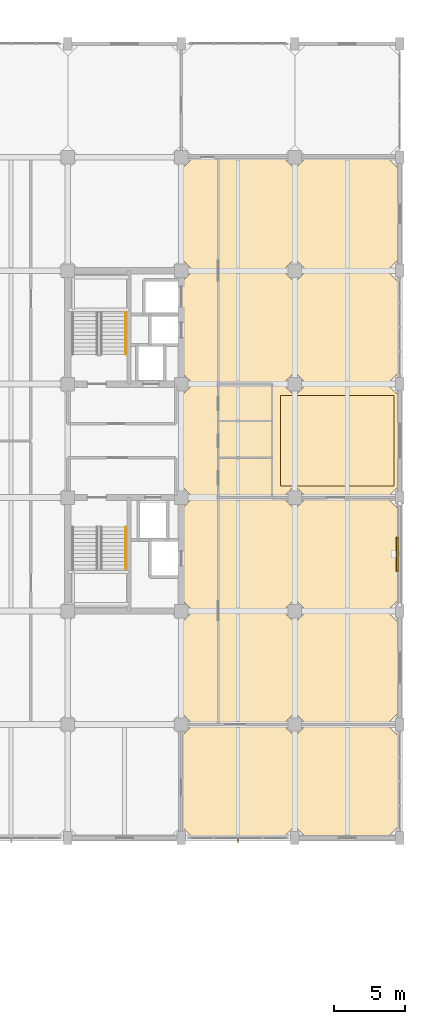
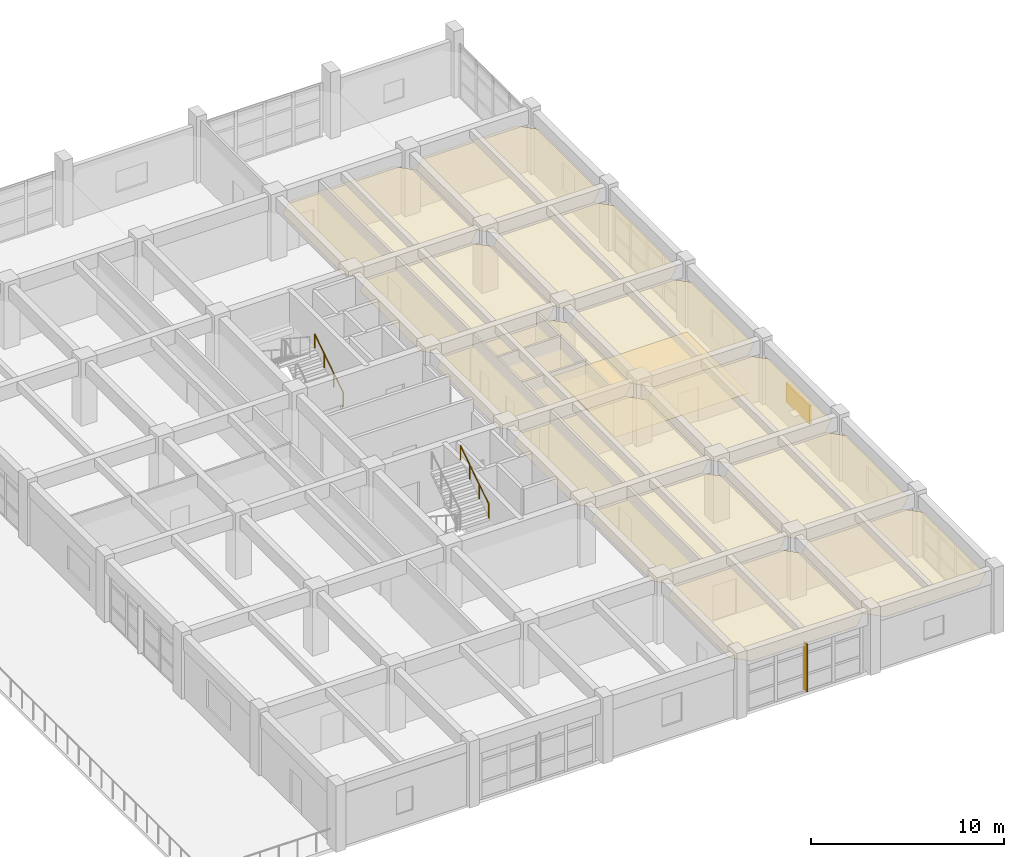
# One storey, part 34 of 35: 13 coverings, 2 railings, 2 shading devices.
"""IFC4 building model written with IfcOpenShell, lengths in metres."""

from ifc_helpers import new_model, si_unit, direction, frame, origin, origin_2d, place, context, subcontext, project, spatial, polyline, rectangle, circle, outline, extrude, material, layer, layer_set, type_object, element, save


model = new_model("IFC4")

# Units and contexts
model_context = context("Model", 3, precision=1e-05, world=origin(), true_north=direction((0.0, 1.0)))
body_context = subcontext(model_context, "Body", "Model", "MODEL_VIEW")
ifc_project = project(units=[si_unit("LENGTHUNIT", "METRE"), si_unit("AREAUNIT", "SQUARE_METRE"), si_unit("VOLUMEUNIT", "CUBIC_METRE"), si_unit("PLANEANGLEUNIT", "RADIAN"), si_unit("MASSUNIT", "GRAM", prefix="KILO")], contexts=[model_context])

# Site, building, storey
site_placement = place(None, origin())
site = spatial("IfcSite", under=ifc_project, at=site_placement, CompositionType="ELEMENT")
building_placement = place(site_placement, origin())
building = spatial("IfcBuilding", under=site, at=building_placement, Name="Canggui Botanical Conservatory", CompositionType="ELEMENT")
storey_placement = place(building_placement, frame((0.0, 0.0, 15.0)))
storey = spatial("IfcBuildingStorey", under=building, at=storey_placement, Name="L04", CompositionType="ELEMENT", Elevation=15.0)

# Coverings
ifc_material_1 = material(Name="Mineral Fibre Acoustic Board")
ifc_layer_1 = layer(ifc_material_1, 0.014892578125, Name="Mineral Fibre Acoustic Board")
ifc_layer_set_1 = layer_set([ifc_layer_1], Name="Mineral Fibre Acoustic Board")
covering_type_1 = type_object("IfcCoveringType", Name="COV-CEIL-15", PredefinedType="CEILING", material=ifc_layer_set_1)
covering_1_placement = place(storey_placement, frame((0.0, 0.0, 3.034912109375)))
element("IfcCovering", 1, at=covering_1_placement, inside=storey, type_object=covering_type_1, Name="Suspended Acoustic Ceiling L04-162-34", PredefinedType="CEILING", context=body_context, shape_type="SweptSolid", body=[
    extrude(outline(polyline([(162.85009765625, 34.0), (169.14990234375, 34.0), (170.0, 34.85009765625), (170.0, 41.14990234375), (169.14990234375, 42.0), (162.85009765625, 42.0), (162.0, 41.14990234375), (162.0, 34.85009765625), (162.85009765625, 34.0)])), origin(), (0.0, 0.0, 1.0), 0.01513671875),
])
covering_2_placement = place(storey_placement, frame((0.0, 0.0, 3.034912109375)))
element("IfcCovering", 2, at=covering_2_placement, inside=storey, type_object=covering_type_1, Name="Suspended Acoustic Ceiling L04-162-50", PredefinedType="CEILING", context=body_context, shape_type="SweptSolid", body=[
    extrude(outline(polyline([(162.85009765625, 50.0), (169.14990234375, 50.0), (170.0, 50.85009765625), (170.0, 57.14990234375), (169.14990234375, 58.0), (162.85009765625, 58.0), (162.0, 57.14990234375), (162.0, 50.85009765625), (162.85009765625, 50.0)])), origin(), (0.0, 0.0, 1.0), 0.01513671875),
])
covering_3_placement = place(storey_placement, frame((0.0, 0.0, 3.034912109375)))
element("IfcCovering", 3, at=covering_3_placement, inside=storey, type_object=covering_type_1, Name="Suspended Acoustic Ceiling L04-162-66", PredefinedType="CEILING", context=body_context, shape_type="SweptSolid", body=[
    extrude(outline(polyline([(162.85009765625, 66.0), (169.14990234375, 66.0), (170.0, 66.85009765625), (170.0, 73.14990234375), (169.14990234375, 74.0), (162.85009765625, 74.0), (162.0, 73.14990234375), (162.0, 66.85009765625), (162.85009765625, 66.0)])), origin(), (0.0, 0.0, 1.0), 0.01513671875),
])
covering_4_placement = place(storey_placement, frame((0.0, 0.0, 3.034912109375)))
element("IfcCovering", 4, at=covering_4_placement, inside=storey, type_object=covering_type_1, Name="Suspended Acoustic Ceiling L04-170-26", PredefinedType="CEILING", context=body_context, shape_type="SweptSolid", body=[
    extrude(outline(polyline([(170.85009765625, 26.0), (176.5, 26.0), (177.35009765625, 26.85009765625), (177.35009765625, 33.14990234375), (176.5, 34.0), (170.85009765625, 34.0), (170.0, 33.14990234375), (170.0, 26.85009765625), (170.85009765625, 26.0)])), origin(), (0.0, 0.0, 1.0), 0.01513671875),
])
covering_5_placement = place(storey_placement, frame((0.0, 0.0, 3.034912109375)))
element("IfcCovering", 5, at=covering_5_placement, inside=storey, type_object=covering_type_1, Name="Suspended Acoustic Ceiling L04-170-42", PredefinedType="CEILING", context=body_context, shape_type="SweptSolid", body=[
    extrude(outline(polyline([(170.85009765625, 42.0), (176.5, 42.0), (177.35009765625, 42.85009765625), (177.35009765625, 49.14990234375), (176.5, 50.0), (170.85009765625, 50.0), (170.0, 49.14990234375), (170.0, 42.85009765625), (170.85009765625, 42.0)])), origin(), (0.0, 0.0, 1.0), 0.01513671875),
])
covering_6_placement = place(storey_placement, frame((0.0, 0.0, 3.034912109375)))
element("IfcCovering", 6, at=covering_6_placement, inside=storey, type_object=covering_type_1, Name="Suspended Acoustic Ceiling L04-170-58", PredefinedType="CEILING", context=body_context, shape_type="SweptSolid", body=[
    extrude(outline(polyline([(170.85009765625, 58.0), (176.5, 58.0), (177.35009765625, 58.85009765625), (177.35009765625, 65.14990234375), (176.5, 66.0), (170.85009765625, 66.0), (170.0, 65.14990234375), (170.0, 58.85009765625), (170.85009765625, 58.0)])), origin(), (0.0, 0.0, 1.0), 0.01513671875),
])
ifc_material_2 = material(Name="Perforated Gypsum Acoustic Panel")
ifc_layer_2 = layer(ifc_material_2, 0.02001953125, Name="Perforated Gypsum Acoustic Panel")
ifc_layer_set_2 = layer_set([ifc_layer_2], Name="Perforated Gypsum Acoustic Panel")
covering_type_2 = type_object("IfcCoveringType", Name="COV-CEIL-20", PredefinedType="CEILING", material=ifc_layer_set_2)
covering_7_placement = place(storey_placement, frame((0.0, 0.0, 3.030029296875)))
element("IfcCovering", 7, at=covering_7_placement, inside=storey, type_object=covering_type_2, Name="Suspended Acoustic Ceiling L04-162-26", PredefinedType="CEILING", context=body_context, shape_type="SweptSolid", body=[
    extrude(outline(polyline([(162.85009765625, 26.0), (169.14990234375, 26.0), (170.0, 26.85009765625), (170.0, 33.14990234375), (169.14990234375, 34.0), (162.85009765625, 34.0), (162.0, 33.14990234375), (162.0, 26.85009765625), (162.85009765625, 26.0)])), origin(), (0.0, 0.0, 1.0), 0.02001953125),
])
covering_8_placement = place(storey_placement, frame((0.0, 0.0, 3.030029296875)))
element("IfcCovering", 8, at=covering_8_placement, inside=storey, type_object=covering_type_2, Name="Suspended Acoustic Ceiling L04-162-42", PredefinedType="CEILING", context=body_context, shape_type="SweptSolid", body=[
    extrude(outline(polyline([(162.85009765625, 42.0), (169.14990234375, 42.0), (170.0, 42.85009765625), (170.0, 49.14990234375), (169.14990234375, 50.0), (162.85009765625, 50.0), (162.0, 49.14990234375), (162.0, 42.85009765625), (162.85009765625, 42.0)])), origin(), (0.0, 0.0, 1.0), 0.02001953125),
])
covering_9_placement = place(storey_placement, frame((0.0, 0.0, 3.030029296875)))
element("IfcCovering", 9, at=covering_9_placement, inside=storey, type_object=covering_type_2, Name="Suspended Acoustic Ceiling L04-162-58", PredefinedType="CEILING", context=body_context, shape_type="SweptSolid", body=[
    extrude(outline(polyline([(162.85009765625, 58.0), (169.14990234375, 58.0), (170.0, 58.85009765625), (170.0, 65.14990234375), (169.14990234375, 66.0), (162.85009765625, 66.0), (162.0, 65.14990234375), (162.0, 58.85009765625), (162.85009765625, 58.0)])), origin(), (0.0, 0.0, 1.0), 0.02001953125),
])
covering_10_placement = place(storey_placement, frame((0.0, 0.0, 3.030029296875)))
element("IfcCovering", 10, at=covering_10_placement, inside=storey, type_object=covering_type_2, Name="Suspended Acoustic Ceiling L04-170-34", PredefinedType="CEILING", context=body_context, shape_type="SweptSolid", body=[
    extrude(outline(polyline([(170.85009765625, 34.0), (176.5, 34.0), (177.35009765625, 34.85009765625), (177.35009765625, 41.14990234375), (176.5, 42.0), (170.85009765625, 42.0), (170.0, 41.14990234375), (170.0, 34.85009765625), (170.85009765625, 34.0)])), origin(), (0.0, 0.0, 1.0), 0.02001953125),
])
covering_11_placement = place(storey_placement, frame((0.0, 0.0, 3.030029296875)))
element("IfcCovering", 11, at=covering_11_placement, inside=storey, type_object=covering_type_2, Name="Suspended Acoustic Ceiling L04-170-50", PredefinedType="CEILING", context=body_context, shape_type="SweptSolid", body=[
    extrude(outline(polyline([(170.85009765625, 50.0), (176.5, 50.0), (177.35009765625, 50.85009765625), (177.35009765625, 57.14990234375), (176.5, 58.0), (170.85009765625, 58.0), (170.0, 57.14990234375), (170.0, 50.85009765625), (170.85009765625, 50.0)])), origin(), (0.0, 0.0, 1.0), 0.02001953125),
])
covering_12_placement = place(storey_placement, frame((0.0, 0.0, 3.030029296875)))
element("IfcCovering", 12, at=covering_12_placement, inside=storey, type_object=covering_type_2, Name="Suspended Acoustic Ceiling L04-170-66", PredefinedType="CEILING", context=body_context, shape_type="SweptSolid", body=[
    extrude(outline(polyline([(170.85009765625, 66.0), (176.5, 66.0), (177.35009765625, 66.85009765625), (177.35009765625, 73.14990234375), (176.5, 74.0), (170.85009765625, 74.0), (170.0, 73.14990234375), (170.0, 66.85009765625), (170.85009765625, 66.0)])), origin(), (0.0, 0.0, 1.0), 0.02001953125),
])
ifc_material_3 = material(Name="Honed Granite Stone Tile", Category="masonry")
ifc_layer_3 = layer(ifc_material_3, 0.02001953125, Name="Honed Granite Stone Tile", Category="masonry")
ifc_layer_set_3 = layer_set([ifc_layer_3], Name="Honed Granite Stone Tile")
covering_type_3 = type_object("IfcCoveringType", Name="COV-FLR-20", PredefinedType="FLOORING", material=ifc_layer_set_3)
covering_13_placement = place(storey_placement, origin())
element("IfcCovering", 13, at=covering_13_placement, inside=storey, type_object=covering_type_3, Name="Laboratory Finish Flooring L04", PredefinedType="FLOORING", context=body_context, shape_type="SweptSolid", body=[
    extrude(outline(polyline([(169.0, 50.800048828125), (177.0, 50.800048828125), (177.0, 57.199951171875), (169.0, 57.199951171875), (169.0, 50.800048828125)])), origin(), (0.0, 0.0, 1.0), 0.02001953125),
])

# Railings
ifc_material_4 = material(Name="Stainless Steel 304", Category="steel")
railing_type = type_object("IfcRailingType", Name="RAIL-HAND-900", PredefinedType="HANDRAIL", material=ifc_material_4)
for number, where, name in (
    (14, (158.070068359375, 44.971923828125, 2.27490234375), "L04 ST-T1 stair handrail 2"),
    (15, (158.070068359375, 60.080078125, 0.175048828125), "L04 ST-T2 stair handrail 1"),
):
    element("IfcRailing", number, at=place(storey_placement, frame(where)), inside=storey, type_object=railing_type, Name=name, PredefinedType="HANDRAIL", context=body_context, shape_type="SweptSolid", body=[
        extrude(circle(Radius=0.02392578125, at=origin_2d()), frame((0.0, 0.0, 0.8759765625), z_axis=(0.0, 0.837293178872, 0.54675417933), x_axis=(-1.0, 0.0, 0.0)), (0.0, 0.0, 1.0), 3.520751953125),
        extrude(circle(Radius=0.02099609375, at=origin_2d()), origin(), (0.0, 0.0, 1.0), 0.851806640625),
        extrude(circle(Radius=0.02099609375, at=origin_2d()), frame((0.0, 0.982666015625, 0.6416015625)), (0.0, 0.0, 1.0), 0.851806640625),
        extrude(circle(Radius=0.02099609375, at=origin_2d()), frame((0.0, 1.96533203125, 1.283447265625)), (0.0, 0.0, 1.0), 0.851806640625),
        extrude(circle(Radius=0.02099609375, at=origin_2d()), frame((0.0, 2.947998046875, 1.925048828125)), (0.0, 0.0, 1.0), 0.851806640625),
    ])

# Shading devices
ifc_material_5 = material(Name="Anodised Aluminium", Category="aluminium")
shading_device_type_1 = type_object("IfcShadingDeviceType", Name="SHD-FIN02", PredefinedType="AWNING", material=ifc_material_5)
shading_device_1_placement = place(storey_placement, frame((166.0, 25.8349609375, 0.199951171875), z_axis=(0.0, 0.0, 1.0), x_axis=(-1.0, 0.0, 0.0)))
element("IfcShadingDevice", 16, at=shading_device_1_placement, inside=storey, type_object=shading_device_type_1, Name="Solar Shading Fin CW-TWR-L04-02", PredefinedType="AWNING", context=body_context, shape_type="SweptSolid", body=[
    extrude(rectangle(XDim=0.06005859375, YDim=0.360107421875, at=origin_2d()), origin(), (0.0, 0.0, 1.0), 3.0),
])
shading_device_type_2 = type_object("IfcShadingDeviceType", Name="SHD-LOUV01", PredefinedType="JALOUSIE", material=ifc_material_5)
shading_device_2_placement = place(storey_placement, frame((177.219970703125, 46.0, 1.60009765625), z_axis=(0.0, 0.0, 1.0), x_axis=(0.0, 1.0, 0.0)))
element("IfcShadingDevice", 17, at=shading_device_2_placement, inside=storey, type_object=shading_device_type_2, Name="Acoustic Intake Louvre L04-22", PredefinedType="JALOUSIE", context=body_context, shape_type="SweptSolid", body=[
    extrude(rectangle(XDim=2.39990234375, YDim=0.1201171875, at=origin_2d()), origin(), (0.0, 0.0, 1.0), 1.199951171875),
])

save(model, "model.ifc")
